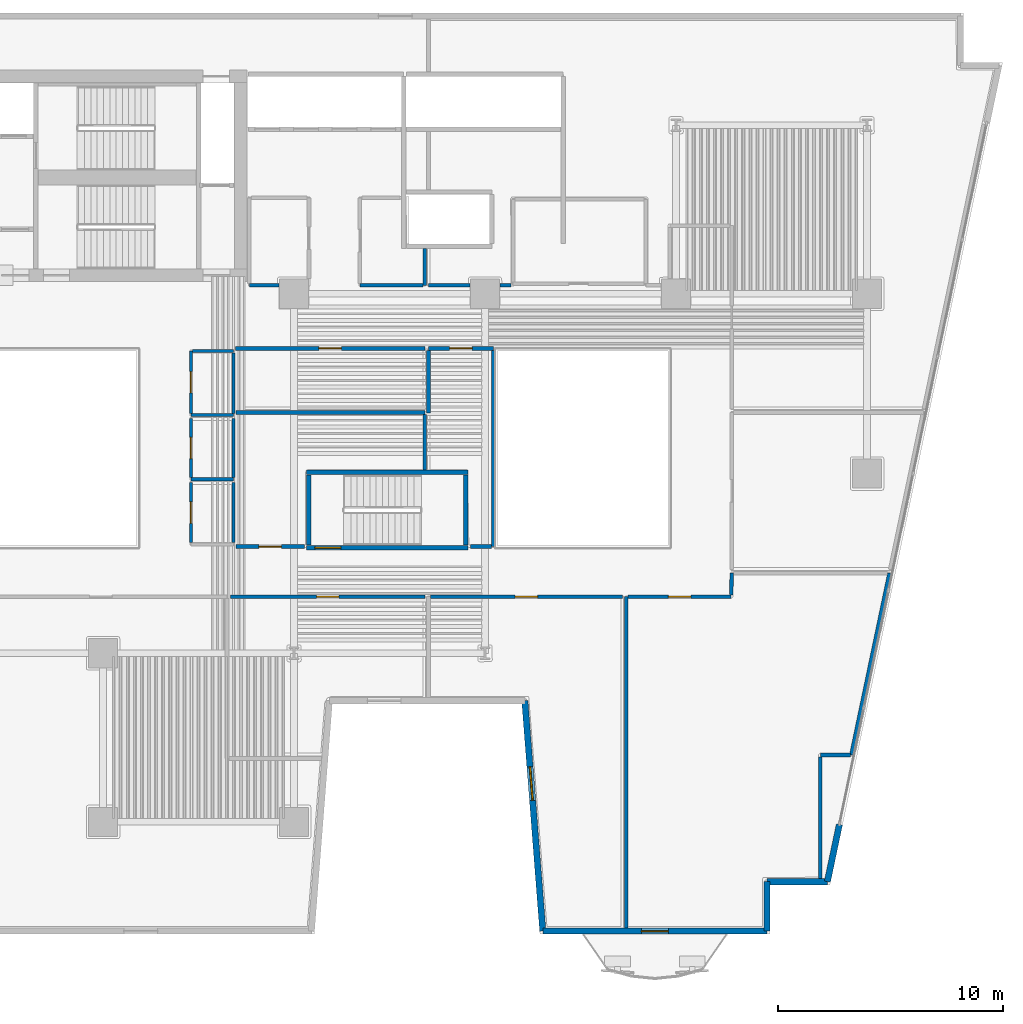
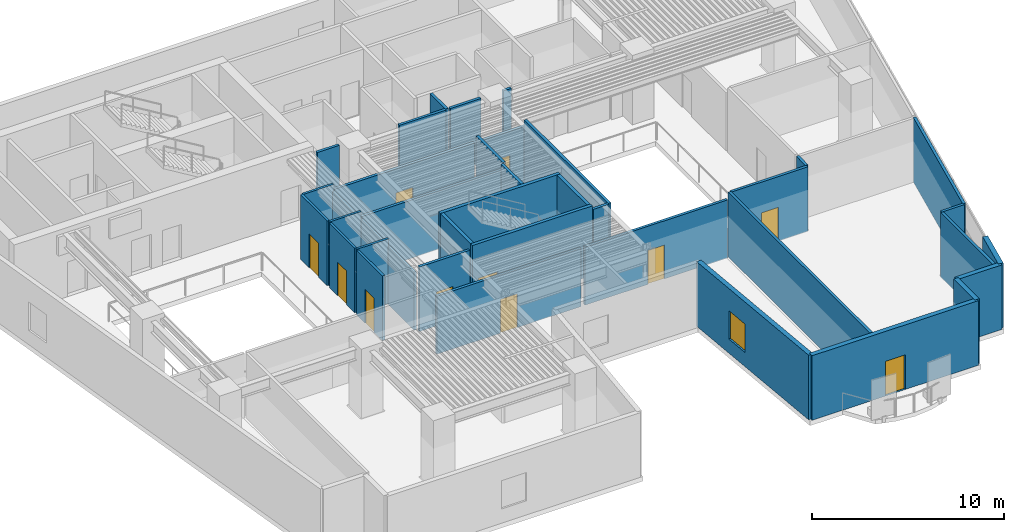
# One storey, part 4 of 11: 39 walls, 11 doors, 1 window, 12 openings.
"""IFC4 building model written with IfcOpenShell, lengths in metres."""

from ifc_helpers import new_model, si_unit, direction, frame, frame_2d, origin, place, context, subcontext, project, spatial, rectangle, extrude, material, layer, layer_set, type_object, element, fill, save


model = new_model("IFC4")

# Units and contexts
model_context = context("Model", 3, precision=1e-05, world=origin(), true_north=direction((0.0, 1.0)))
body_context = subcontext(model_context, "Body", "Model", "MODEL_VIEW")
ifc_project = project(units=[si_unit("LENGTHUNIT", "METRE"), si_unit("AREAUNIT", "SQUARE_METRE"), si_unit("VOLUMEUNIT", "CUBIC_METRE"), si_unit("PLANEANGLEUNIT", "RADIAN"), si_unit("MASSUNIT", "GRAM", prefix="KILO")], contexts=[model_context])

# Site, building, storey
site_placement = place(None, origin())
site = spatial("IfcSite", under=ifc_project, at=site_placement, CompositionType="ELEMENT")
building_placement = place(site_placement, origin())
building = spatial("IfcBuilding", under=site, at=building_placement, Name="Caeloran Harvest Quay", CompositionType="ELEMENT")
storey_placement = place(building_placement, frame((0.0, 0.0, 53.39990234375)))
storey = spatial("IfcBuildingStorey", under=building, at=storey_placement, Name="L12", CompositionType="ELEMENT", Elevation=53.39990234375)

# Walls
ifc_material_1 = material(Name="Precast concrete C50/60", Category="concrete")
ifc_layer_1 = layer(ifc_material_1, 0.280029296875, Name="Precast concrete C50/60")
ifc_layer_set_1 = layer_set([ifc_layer_1], Name="Precast concrete C50/60")
wall_type_1 = type_object("IfcWallType", Name="ENV-WALL-EW-280", PredefinedType="STANDARD", material=ifc_layer_set_1)
wall_1_placement = place(storey_placement, frame((49.77001953125, 7.384521484375, 0.0), z_axis=(0.0, 0.0, 1.0), x_axis=(-0.205551409765, -0.978646319128, 0.0)))
element("IfcWall", 1, at=wall_1_placement, inside=storey, type_object=wall_type_1, Name="L12 Exterior Facade Corner Pier Wall 9B", PredefinedType="STANDARD", context=body_context, shape_type="SweptSolid", body=[
    extrude(rectangle(XDim=2.599853515625, YDim=0.280029296875, at=frame_2d((1.2998046875, 0.0))), origin(), (0.0, 0.0, 1.0), 4.10009765625),
])
wall_2_placement = place(storey_placement, frame((49.235595703125, 4.840087890625, 0.0), z_axis=(0.0, 0.0, 1.0), x_axis=(-1.0, 0.0, 0.0)))
element("IfcWall", 2, at=wall_2_placement, inside=storey, type_object=wall_type_1, Name="L12 Exterior Precast Concrete Facade Wall 10", PredefinedType="STANDARD", context=body_context, shape_type="SweptSolid", body=[
    extrude(rectangle(XDim=2.6884765625, YDim=0.280029296875, at=frame_2d((1.34423828125, 0.0))), origin(), (0.0, 0.0, 1.0), 4.10009765625),
])
wall_3_placement = place(storey_placement, frame((46.547119140625, 4.840087890625, 0.0), z_axis=(0.0, 0.0, 1.0), x_axis=(0.0, -1.0, 0.0)))
element("IfcWall", 3, at=wall_3_placement, inside=storey, type_object=wall_type_1, Name="L12 Exterior Precast Concrete Facade Wall 11", PredefinedType="STANDARD", context=body_context, shape_type="SweptSolid", body=[
    extrude(rectangle(XDim=2.2001953125, YDim=0.280029296875, at=frame_2d((1.10009765625, 0.0))), origin(), (0.0, 0.0, 1.0), 4.10009765625),
])

# Wall, opening, door
wall_4_placement = place(storey_placement, frame((46.547119140625, 2.639892578125, 0.0), z_axis=(0.0, 0.0, 1.0), x_axis=(-1.0, 0.0, 0.0)))
wall_4 = element("IfcWall", 4, at=wall_4_placement, inside=storey, type_object=wall_type_1, Name="L12 Exterior Precast Concrete Facade Wall 12", PredefinedType="STANDARD", context=body_context, shape_type="SweptSolid", body=[
    extrude(rectangle(XDim=9.97705078125, YDim=0.280029296875, at=frame_2d((4.988525390625, 0.0))), origin(), (0.0, 0.0, 1.0), 4.10009765625),
])
opening_1_placement = place(wall_4_placement, frame((4.387939453125, 0.0, 0.0)))
opening_1 = element("IfcOpeningElement", 5, at=opening_1_placement, cuts=wall_4, Name="Opening BD-01", PredefinedType="OPENING", context=body_context, shape_type="SweptSolid", body=[
    extrude(rectangle(XDim=1.199951171875, YDim=2.199951171875, at=frame_2d((0.60009765625, 1.10009765625))), frame((0.0, 0.14990234375, 0.0), z_axis=(0.0, -1.0, 0.0), x_axis=(1.0, 0.0, 0.0)), (0.0, 0.0, 1.0), 0.300048828125),
])
ifc_material_2 = material(Name="Thermally Broken Powder-Coated Aluminium and Safety Glass", Category="aluminium")
door_type_1 = type_object("IfcDoorType", Name="EXTDOOR-BD-01", OperationType="NOTDEFINED", PredefinedType="DOOR", material=ifc_material_2)
door_1_placement = place(opening_1_placement, origin())
door_1 = element("IfcDoor", 6, at=door_1_placement, inside=storey, type_object=door_type_1, Name="L12 Planted Balcony Glazed Access Door", OperationType="SINGLE_SWING_LEFT", OverallHeight=2.199951171875, OverallWidth=1.199951171875, PredefinedType="DOOR", context=body_context, shape_type="SweptSolid", body=[
    extrude(rectangle(XDim=1.199951171875, YDim=2.199951171875, at=frame_2d((0.60009765625, 1.10009765625))), frame((0.0, 0.02490234375, 0.0), z_axis=(0.0, -1.0, 0.0), x_axis=(1.0, 0.0, 0.0)), (0.0, 0.0, 1.0), 0.050048828125),
])
fill(opening_1, door_1)

# Wall, opening, window
wall_5_placement = place(storey_placement, frame((36.570068359375, 2.639892578125, 0.0), z_axis=(0.0, 0.0, 1.0), x_axis=(-0.077816860153, 0.996967670627, 0.0)))
wall_5 = element("IfcWall", 7, at=wall_5_placement, inside=storey, type_object=wall_type_1, Name="L12 Exterior Precast Concrete Facade Wall 13", PredefinedType="STANDARD", context=body_context, shape_type="SweptSolid", body=[
    extrude(rectangle(XDim=10.28125, YDim=0.280029296875, at=frame_2d((5.140625, 0.0))), origin(), (0.0, 0.0, 1.0), 4.10009765625),
])
opening_2_placement = place(wall_5_placement, frame((5.830078125, 0.0, 0.89990234375)))
opening_2 = element("IfcOpeningElement", 8, at=opening_2_placement, cuts=wall_5, Name="Opening W-03", PredefinedType="OPENING", context=body_context, shape_type="SweptSolid", body=[
    extrude(rectangle(XDim=1.5, YDim=1.800048828125, at=frame_2d((0.75, 0.89990234375))), frame((0.0, 0.14990234375, 0.0), z_axis=(0.0, -1.0, 0.0), x_axis=(1.0, 0.0, 0.0)), (0.0, 0.0, 1.0), 0.300048828125),
])
ifc_material_3 = material(Name="Aluminium-Framed Low-E Laminated Glass", Category="aluminium")
window_type = type_object("IfcWindowType", Name="WIN-W-03", PartitioningType="SINGLE_PANEL", PredefinedType="WINDOW", material=ifc_material_3)
window_placement = place(opening_2_placement, origin())
window = element("IfcWindow", 9, at=window_placement, inside=storey, type_object=window_type, Name="L12 Facade Punched Window W-03", OverallHeight=1.800048828125, OverallWidth=1.5, PartitioningType="SINGLE_PANEL", PredefinedType="WINDOW", context=body_context, shape_type="SweptSolid", body=[
    extrude(rectangle(XDim=1.5, YDim=1.800048828125, at=frame_2d((0.75, 0.89990234375))), frame((0.0, 0.030029296875, 0.0), z_axis=(0.0, -1.0, 0.0), x_axis=(1.0, 0.0, 0.0)), (0.0, 0.0, 1.0), 0.06005859375),
])
fill(opening_2, window)

# Wall
ifc_material_4 = material(Name="Moisture-Resistant Cement-Board Sanitary Partition", Category="gypsum")
ifc_layer_2 = layer(ifc_material_4, 0.139892578125, Name="Moisture-Resistant Cement-Board Sanitary Partition")
ifc_layer_set_2 = layer_set([ifc_layer_2], Name="Moisture-Resistant Cement-Board Sanitary Partition")
wall_type_2 = type_object("IfcWallType", Name="INT-WALL-PW-140", PredefinedType="PARTITIONING", material=ifc_layer_set_2)
wall_6_placement = place(storey_placement, frame((22.800048828125, 25.60009765625, 0.0), z_axis=(0.0, 0.0, 1.0), x_axis=(-1.0, 0.0, 0.0)))
element("IfcWall", 10, at=wall_6_placement, inside=storey, type_object=wall_type_2, Name="L12 Male Washroom WC Partition Wall", PredefinedType="PARTITIONING", context=body_context, shape_type="SweptSolid", body=[
    extrude(rectangle(XDim=1.89013671875, YDim=0.139892578125, at=frame_2d((0.945068359375, 0.0))), origin(), (0.0, 0.0, 1.0), 4.10009765625),
])

# Wall, opening, door
wall_7_placement = place(storey_placement, frame((20.909912109375, 25.675048828125, 0.0), z_axis=(0.0, 0.0, 1.0), x_axis=(0.0, 1.0, 0.0)))
wall_7 = element("IfcWall", 11, at=wall_7_placement, inside=storey, type_object=wall_type_2, Name="L12 Male Washroom WC Partition Wall", PredefinedType="PARTITIONING", context=body_context, shape_type="SweptSolid", body=[
    extrude(rectangle(XDim=2.77490234375, YDim=0.139892578125, at=frame_2d((1.387451171875, 0.0))), origin(), (0.0, 0.0, 1.0), 4.10009765625),
])
opening_3_placement = place(wall_7_placement, frame((0.91259765625, 0.0, 0.0)))
opening_3 = element("IfcOpeningElement", 12, at=opening_3_placement, cuts=wall_7, Name="Opening WC-01", PredefinedType="OPENING", context=body_context, shape_type="SweptSolid", body=[
    extrude(rectangle(XDim=0.949951171875, YDim=2.14990234375, at=frame_2d((0.47509765625, 1.074951171875))), frame((0.0, 0.080078125, 0.0), z_axis=(0.0, -1.0, 0.0), x_axis=(1.0, 0.0, 0.0)), (0.0, 0.0, 1.0), 0.159912109375),
])
ifc_material_5 = material(Name="High-Pressure Laminate Moisture-Resistant Timber", Category="wood")
door_type_2 = type_object("IfcDoorType", Name="INTDOOR-WC-01", OperationType="NOTDEFINED", PredefinedType="DOOR", material=ifc_material_5)
door_2_placement = place(opening_3_placement, origin())
door_2 = element("IfcDoor", 13, at=door_2_placement, inside=storey, type_object=door_type_2, Name="L12 Male Washroom WC Access Door", OperationType="SINGLE_SWING_LEFT", OverallHeight=2.14990234375, OverallWidth=0.949951171875, PredefinedType="DOOR", context=body_context, shape_type="SweptSolid", body=[
    extrude(rectangle(XDim=0.949951171875, YDim=2.14990234375, at=frame_2d((0.47509765625, 1.074951171875))), frame((0.0, 0.02490234375, 0.0), z_axis=(0.0, -1.0, 0.0), x_axis=(1.0, 0.0, 0.0)), (0.0, 0.0, 1.0), 0.050048828125),
])
fill(opening_3, door_2)

# Walls
wall_8_placement = place(storey_placement, frame((20.985107421875, 28.449951171875, 0.0), z_axis=(0.0, 0.0, 1.0), x_axis=(1.0, 0.0, 0.0)))
element("IfcWall", 14, at=wall_8_placement, inside=storey, type_object=wall_type_2, Name="L12 Male Washroom WC Partition Wall", PredefinedType="PARTITIONING", context=body_context, shape_type="SweptSolid", body=[
    extrude(rectangle(XDim=1.81494140625, YDim=0.139892578125, at=frame_2d((0.907470703125, 0.0))), origin(), (0.0, 0.0, 1.0), 4.10009765625),
])
wall_9_placement = place(storey_placement, frame((22.800048828125, 28.375, 0.0), z_axis=(0.0, 0.0, 1.0), x_axis=(0.0, -1.0, 0.0)))
element("IfcWall", 15, at=wall_9_placement, inside=storey, type_object=wall_type_2, Name="L12 Male Washroom WC Partition Wall", PredefinedType="PARTITIONING", context=body_context, shape_type="SweptSolid", body=[
    extrude(rectangle(XDim=2.699951171875, YDim=0.139892578125, at=frame_2d((1.35009765625, 0.0))), origin(), (0.0, 0.0, 1.0), 3.68505859375),
])
wall_10_placement = place(storey_placement, frame((22.800048828125, 22.75, 0.0), z_axis=(0.0, 0.0, 1.0), x_axis=(-1.0, 0.0, 0.0)))
element("IfcWall", 16, at=wall_10_placement, inside=storey, type_object=wall_type_2, Name="L12 Female Washroom WC Partition Wall", PredefinedType="PARTITIONING", context=body_context, shape_type="SweptSolid", body=[
    extrude(rectangle(XDim=1.89013671875, YDim=0.139892578125, at=frame_2d((0.945068359375, 0.0))), origin(), (0.0, 0.0, 1.0), 4.10009765625),
])

# Wall, opening, door
wall_11_placement = place(storey_placement, frame((20.909912109375, 22.824951171875, 0.0), z_axis=(0.0, 0.0, 1.0), x_axis=(0.0, 1.0, 0.0)))
wall_11 = element("IfcWall", 17, at=wall_11_placement, inside=storey, type_object=wall_type_2, Name="L12 Female Washroom WC Partition Wall", PredefinedType="PARTITIONING", context=body_context, shape_type="SweptSolid", body=[
    extrude(rectangle(XDim=2.625, YDim=0.139892578125, at=frame_2d((1.3125, 0.0))), origin(), (0.0, 0.0, 1.0), 4.10009765625),
])
opening_4_placement = place(wall_11_placement, frame((0.83740234375, 0.0, 0.0)))
opening_4 = element("IfcOpeningElement", 18, at=opening_4_placement, cuts=wall_11, Name="Opening WC-01", PredefinedType="OPENING", context=body_context, shape_type="SweptSolid", body=[
    extrude(rectangle(XDim=0.949951171875, YDim=2.14990234375, at=frame_2d((0.47509765625, 1.074951171875))), frame((0.0, 0.080078125, 0.0), z_axis=(0.0, -1.0, 0.0), x_axis=(1.0, 0.0, 0.0)), (0.0, 0.0, 1.0), 0.159912109375),
])
door_3_placement = place(opening_4_placement, origin())
door_3 = element("IfcDoor", 19, at=door_3_placement, inside=storey, type_object=door_type_2, Name="L12 Female Washroom WC Access Door", OperationType="SINGLE_SWING_RIGHT", OverallHeight=2.14990234375, OverallWidth=0.949951171875, PredefinedType="DOOR", context=body_context, shape_type="SweptSolid", body=[
    extrude(rectangle(XDim=0.949951171875, YDim=2.14990234375, at=frame_2d((0.47509765625, 1.074951171875))), frame((0.0, 0.02490234375, 0.0), z_axis=(0.0, -1.0, 0.0), x_axis=(1.0, 0.0, 0.0)), (0.0, 0.0, 1.0), 0.050048828125),
])
fill(opening_4, door_3)

# Wall
wall_12_placement = place(storey_placement, frame((22.800048828125, 25.449951171875, 0.0), z_axis=(0.0, 0.0, 1.0), x_axis=(0.0, -1.0, 0.0)))
element("IfcWall", 20, at=wall_12_placement, inside=storey, type_object=wall_type_2, Name="L12 Female Washroom WC Partition Wall", PredefinedType="PARTITIONING", context=body_context, shape_type="SweptSolid", body=[
    extrude(rectangle(XDim=2.625, YDim=0.139892578125, at=frame_2d((1.3125, 0.0))), origin(), (0.0, 0.0, 1.0), 3.68505859375),
])

# Wall, opening, door
wall_13_placement = place(storey_placement, frame((20.909912109375, 19.925048828125, 0.0), z_axis=(0.0, 0.0, 1.0), x_axis=(0.0, 1.0, 0.0)))
wall_13 = element("IfcWall", 21, at=wall_13_placement, inside=storey, type_object=wall_type_2, Name="L12 Accessible Unisex Washroom WC Partition Wall", PredefinedType="PARTITIONING", context=body_context, shape_type="SweptSolid", body=[
    extrude(rectangle(XDim=2.675048828125, YDim=0.139892578125, at=frame_2d((1.33740234375, 0.0))), origin(), (0.0, 0.0, 1.0), 4.10009765625),
])
opening_5_placement = place(wall_13_placement, frame((0.862548828125, 0.0, 0.0)))
opening_5 = element("IfcOpeningElement", 22, at=opening_5_placement, cuts=wall_13, Name="Opening WC-01", PredefinedType="OPENING", context=body_context, shape_type="SweptSolid", body=[
    extrude(rectangle(XDim=0.949951171875, YDim=2.14990234375, at=frame_2d((0.47509765625, 1.074951171875))), frame((0.0, 0.080078125, 0.0), z_axis=(0.0, -1.0, 0.0), x_axis=(1.0, 0.0, 0.0)), (0.0, 0.0, 1.0), 0.159912109375),
])
door_4_placement = place(opening_5_placement, origin())
door_4 = element("IfcDoor", 23, at=door_4_placement, inside=storey, type_object=door_type_2, Name="L12 Accessible Unisex Washroom WC Access Door", OperationType="SINGLE_SWING_LEFT", OverallHeight=2.14990234375, OverallWidth=0.949951171875, PredefinedType="DOOR", context=body_context, shape_type="SweptSolid", body=[
    extrude(rectangle(XDim=0.949951171875, YDim=2.14990234375, at=frame_2d((0.47509765625, 1.074951171875))), frame((0.0, 0.02490234375, 0.0), z_axis=(0.0, -1.0, 0.0), x_axis=(1.0, 0.0, 0.0)), (0.0, 0.0, 1.0), 0.050048828125),
])
fill(opening_5, door_4)

# Walls
wall_14_placement = place(storey_placement, frame((22.800048828125, 22.60009765625, 0.0), z_axis=(0.0, 0.0, 1.0), x_axis=(0.0, -1.0, 0.0)))
element("IfcWall", 24, at=wall_14_placement, inside=storey, type_object=wall_type_2, Name="L12 Accessible Unisex Washroom WC Partition Wall", PredefinedType="PARTITIONING", context=body_context, shape_type="SweptSolid", body=[
    extrude(rectangle(XDim=2.675048828125, YDim=0.139892578125, at=frame_2d((1.33740234375, 0.0))), origin(), (0.0, 0.0, 1.0), 3.68505859375),
])
ifc_material_6 = material(Name="Autoclaved Aerated Concrete Blockwork", Category="masonry")
ifc_layer_3 = layer(ifc_material_6, 0.1650390625, Name="Autoclaved Aerated Concrete Blockwork")
ifc_layer_set_3 = layer_set([ifc_layer_3], Name="Autoclaved Aerated Concrete Blockwork")
wall_type_3 = type_object("IfcWallType", Name="INT-WALL-PW-165", PredefinedType="PARTITIONING", material=ifc_layer_set_3)
wall_15_placement = place(storey_placement, frame((51.9970703125, 18.570068359375, 0.0), z_axis=(0.0, 0.0, 1.0), x_axis=(-0.205523740085, -0.978652130362, 0.0)))
element("IfcWall", 25, at=wall_15_placement, inside=storey, type_object=wall_type_3, Name="Hydroponic Culinary Kitchen Partition Wall", PredefinedType="PARTITIONING", context=body_context, shape_type="SweptSolid", body=[
    extrude(rectangle(XDim=8.2666015625, YDim=0.1650390625, at=frame_2d((4.13330078125, 0.0))), origin(), (0.0, 0.0, 1.0), 4.10009765625),
])
wall_16_placement = place(storey_placement, frame((50.273681640625, 10.47998046875, 0.0), z_axis=(0.0, 0.0, 1.0), x_axis=(-1.0, 0.0, 0.0)))
element("IfcWall", 26, at=wall_16_placement, inside=storey, type_object=wall_type_3, Name="Hydroponic Culinary Kitchen Partition Wall", PredefinedType="PARTITIONING", context=body_context, shape_type="SweptSolid", body=[
    extrude(rectangle(XDim=1.353759765625, YDim=0.1650390625, at=frame_2d((0.6767578125, 0.0))), origin(), (0.0, 0.0, 1.0), 4.10009765625),
])
wall_17_placement = place(storey_placement, frame((48.919921875, 10.392578125, 0.0), z_axis=(0.0, 0.0, 1.0), x_axis=(0.0, -1.0, 0.0)))
element("IfcWall", 27, at=wall_17_placement, inside=storey, type_object=wall_type_3, Name="Hydroponic Culinary Kitchen Partition Wall", PredefinedType="PARTITIONING", context=body_context, shape_type="SweptSolid", body=[
    extrude(rectangle(XDim=5.407470703125, YDim=0.1650390625, at=frame_2d((2.70361328125, 0.0))), origin(), (0.0, 0.0, 1.0), 4.10009765625),
])
wall_18_placement = place(storey_placement, frame((40.280029296875, 2.784912109375, 0.0), z_axis=(0.0, 0.0, 1.0), x_axis=(0.0, 1.0, 0.0)))
element("IfcWall", 28, at=wall_18_placement, inside=storey, type_object=wall_type_3, Name="Hydroponic Culinary Kitchen Partition Wall", PredefinedType="PARTITIONING", context=body_context, shape_type="SweptSolid", body=[
    extrude(rectangle(XDim=14.735107421875, YDim=0.1650390625, at=frame_2d((7.36767578125, 0.0))), origin(), (0.0, 0.0, 1.0), 4.10009765625),
])

# Wall, opening, door
wall_19_placement = place(storey_placement, frame((40.367431640625, 17.52001953125, 0.0), z_axis=(0.0, 0.0, 1.0), x_axis=(1.0, 0.0, 0.0)))
wall_19 = element("IfcWall", 29, at=wall_19_placement, inside=storey, type_object=wall_type_3, Name="Hydroponic Culinary Kitchen Partition Wall", PredefinedType="PARTITIONING", context=body_context, shape_type="SweptSolid", body=[
    extrude(rectangle(XDim=4.58251953125, YDim=0.1650390625, at=frame_2d((2.291259765625, 0.0))), origin(), (0.0, 0.0, 1.0), 4.10009765625),
])
opening_6_placement = place(wall_19_placement, frame((1.791259765625, 0.0, 0.0)))
opening_6 = element("IfcOpeningElement", 30, at=opening_6_placement, cuts=wall_19, Name="Opening ID-01", PredefinedType="OPENING", context=body_context, shape_type="SweptSolid", body=[
    extrude(rectangle(XDim=1.0, YDim=2.14990234375, at=frame_2d((0.5, 1.074951171875))), frame((0.0, 0.092529296875, 0.0), z_axis=(0.0, -1.0, 0.0), x_axis=(1.0, 0.0, 0.0)), (0.0, 0.0, 1.0), 0.18505859375),
])
ifc_material_7 = material(Name="FSC Solid-Core Ash Timber and Acoustic Seal", Category="wood")
door_type_3 = type_object("IfcDoorType", Name="INTDOOR-ID-01", OperationType="NOTDEFINED", PredefinedType="DOOR", material=ifc_material_7)
door_5_placement = place(opening_6_placement, origin())
door_5 = element("IfcDoor", 31, at=door_5_placement, inside=storey, type_object=door_type_3, Name="Hydroponic Culinary Kitchen Access Door", OperationType="SINGLE_SWING_LEFT", OverallHeight=2.14990234375, OverallWidth=1.0, PredefinedType="DOOR", context=body_context, shape_type="SweptSolid", body=[
    extrude(rectangle(XDim=1.0, YDim=2.14990234375, at=frame_2d((0.5, 1.074951171875))), frame((0.0, 0.02490234375, 0.0), z_axis=(0.0, -1.0, 0.0), x_axis=(1.0, 0.0, 0.0)), (0.0, 0.0, 1.0), 0.050048828125),
])
fill(opening_6, door_5)

# Wall
wall_20_placement = place(storey_placement, frame((44.952392578125, 17.606689453125, 0.0), z_axis=(0.0, 0.0, 1.0), x_axis=(0.028624859452, 0.999590224753, 0.0)))
element("IfcWall", 32, at=wall_20_placement, inside=storey, type_object=wall_type_3, Name="Hydroponic Culinary Kitchen Partition Wall", PredefinedType="PARTITIONING", context=body_context, shape_type="SweptSolid", body=[
    extrude(rectangle(XDim=0.9638671875, YDim=0.1650390625, at=frame_2d((0.48193359375, 0.0))), origin(), (0.0, 0.0, 1.0), 4.10009765625),
])

# Wall, opening, door
wall_21_placement = place(storey_placement, frame((31.5673828125, 17.52001953125, 0.0), z_axis=(0.0, 0.0, 1.0), x_axis=(1.0, 0.0, 0.0)))
wall_21 = element("IfcWall", 33, at=wall_21_placement, inside=storey, type_object=wall_type_3, Name="Seedling Sensory Salon Lounge Partition Wall", PredefinedType="PARTITIONING", context=body_context, shape_type="SweptSolid", body=[
    extrude(rectangle(XDim=8.552734375, YDim=0.1650390625, at=frame_2d((4.2763671875, 0.0))), origin(), (0.0, 0.0, 1.0), 3.68505859375),
])
opening_7_placement = place(wall_21_placement, frame((3.776123046875, 0.0, 0.0)))
opening_7 = element("IfcOpeningElement", 34, at=opening_7_placement, cuts=wall_21, Name="Opening ID-01", PredefinedType="OPENING", context=body_context, shape_type="SweptSolid", body=[
    extrude(rectangle(XDim=1.0, YDim=2.14990234375, at=frame_2d((0.5, 1.074951171875))), frame((0.0, 0.092529296875, 0.0), z_axis=(0.0, -1.0, 0.0), x_axis=(1.0, 0.0, 0.0)), (0.0, 0.0, 1.0), 0.18505859375),
])
door_6_placement = place(opening_7_placement, origin())
door_6 = element("IfcDoor", 35, at=door_6_placement, inside=storey, type_object=door_type_3, Name="Seedling Sensory Salon Lounge Access Door", OperationType="SINGLE_SWING_RIGHT", OverallHeight=2.14990234375, OverallWidth=1.0, PredefinedType="DOOR", context=body_context, shape_type="SweptSolid", body=[
    extrude(rectangle(XDim=1.0, YDim=2.14990234375, at=frame_2d((0.5, 1.074951171875))), frame((0.0, 0.02490234375, 0.0), z_axis=(0.0, -1.0, 0.0), x_axis=(1.0, 0.0, 0.0)), (0.0, 0.0, 1.0), 0.050048828125),
])
fill(opening_7, door_6)

wall_22_placement = place(storey_placement, frame((22.679931640625, 17.52001953125, 0.0), z_axis=(0.0, 0.0, 1.0), x_axis=(1.0, 0.0, 0.0)))
wall_22 = element("IfcWall", 36, at=wall_22_placement, inside=storey, type_object=wall_type_3, Name="Harvest Seminar Room Partition Wall", PredefinedType="PARTITIONING", context=body_context, shape_type="SweptSolid", body=[
    extrude(rectangle(XDim=8.64013671875, YDim=0.1650390625, at=frame_2d((4.320068359375, 0.0))), origin(), (0.0, 0.0, 1.0), 3.68505859375),
])
opening_8_placement = place(wall_22_placement, frame((3.820068359375, 0.0, 0.0)))
opening_8 = element("IfcOpeningElement", 37, at=opening_8_placement, cuts=wall_22, Name="Opening ID-01", PredefinedType="OPENING", context=body_context, shape_type="SweptSolid", body=[
    extrude(rectangle(XDim=1.0, YDim=2.14990234375, at=frame_2d((0.5, 1.074951171875))), frame((0.0, 0.092529296875, 0.0), z_axis=(0.0, -1.0, 0.0), x_axis=(1.0, 0.0, 0.0)), (0.0, 0.0, 1.0), 0.18505859375),
])
door_7_placement = place(opening_8_placement, origin())
door_7 = element("IfcDoor", 38, at=door_7_placement, inside=storey, type_object=door_type_3, Name="Harvest Seminar Room Access Door", OperationType="SINGLE_SWING_RIGHT", OverallHeight=2.14990234375, OverallWidth=1.0, PredefinedType="DOOR", context=body_context, shape_type="SweptSolid", body=[
    extrude(rectangle(XDim=1.0, YDim=2.14990234375, at=frame_2d((0.5, 1.074951171875))), frame((0.0, 0.02490234375, 0.0), z_axis=(0.0, -1.0, 0.0), x_axis=(1.0, 0.0, 0.0)), (0.0, 0.0, 1.0), 0.050048828125),
])
fill(opening_8, door_7)

wall_23_placement = place(storey_placement, frame((25.95556640625, 19.75, 0.0), z_axis=(0.0, 0.0, 1.0), x_axis=(-1.0, 0.0, 0.0)))
wall_23 = element("IfcWall", 39, at=wall_23_placement, inside=storey, type_object=wall_type_3, Name="Tea Blending Kitchen Partition Wall", PredefinedType="PARTITIONING", context=body_context, shape_type="SweptSolid", body=[
    extrude(rectangle(XDim=3.045654296875, YDim=0.1650390625, at=frame_2d((1.52294921875, 0.0))), origin(), (0.0, 0.0, 1.0), 4.10009765625),
])
opening_9_placement = place(wall_23_placement, frame((1.022705078125, 0.0, 0.0)))
opening_9 = element("IfcOpeningElement", 40, at=opening_9_placement, cuts=wall_23, Name="Opening ID-01", PredefinedType="OPENING", context=body_context, shape_type="SweptSolid", body=[
    extrude(rectangle(XDim=1.0, YDim=2.14990234375, at=frame_2d((0.5, 1.074951171875))), frame((0.0, 0.092529296875, 0.0), z_axis=(0.0, -1.0, 0.0), x_axis=(1.0, 0.0, 0.0)), (0.0, 0.0, 1.0), 0.18505859375),
])
door_8_placement = place(opening_9_placement, origin())
door_8 = element("IfcDoor", 41, at=door_8_placement, inside=storey, type_object=door_type_3, Name="Tea Blending Kitchen Access Door", OperationType="SINGLE_SWING_RIGHT", OverallHeight=2.14990234375, OverallWidth=1.0, PredefinedType="DOOR", context=body_context, shape_type="SweptSolid", body=[
    extrude(rectangle(XDim=1.0, YDim=2.14990234375, at=frame_2d((0.5, 1.074951171875))), frame((0.0, 0.02490234375, 0.0), z_axis=(0.0, -1.0, 0.0), x_axis=(1.0, 0.0, 0.0)), (0.0, 0.0, 1.0), 0.050048828125),
])
fill(opening_9, door_8)

# Walls
wall_24_placement = place(storey_placement, frame((22.909912109375, 25.719970703125, 0.0), z_axis=(0.0, 0.0, 1.0), x_axis=(1.0, 0.0, 0.0)))
element("IfcWall", 42, at=wall_24_placement, inside=storey, type_object=wall_type_3, Name="Tea Blending Kitchen Partition Wall", PredefinedType="PARTITIONING", context=body_context, shape_type="SweptSolid", body=[
    extrude(rectangle(XDim=8.41015625, YDim=0.1650390625, at=frame_2d((4.205078125, 0.0))), origin(), (0.0, 0.0, 1.0), 3.68505859375),
])
wall_25_placement = place(storey_placement, frame((31.320068359375, 25.632568359375, 0.0), z_axis=(0.0, 0.0, 1.0), x_axis=(0.0, -1.0, 0.0)))
element("IfcWall", 43, at=wall_25_placement, inside=storey, type_object=wall_type_3, Name="Tea Blending Kitchen Partition Wall", PredefinedType="PARTITIONING", context=body_context, shape_type="SweptSolid", body=[
    extrude(rectangle(XDim=2.4775390625, YDim=0.1650390625, at=frame_2d((1.23876953125, 0.0))), origin(), (0.0, 0.0, 1.0), 4.10009765625),
])

# Wall, opening, door
wall_26_placement = place(storey_placement, frame((31.47998046875, 28.570068359375, 0.0), z_axis=(0.0, 0.0, 1.0), x_axis=(1.0, 0.0, 0.0)))
wall_26 = element("IfcWall", 44, at=wall_26_placement, inside=storey, type_object=wall_type_3, Name="Fermented Botanical Kitchen 8 Partition Wall", PredefinedType="PARTITIONING", context=body_context, shape_type="SweptSolid", body=[
    extrude(rectangle(XDim=2.89013671875, YDim=0.1650390625, at=frame_2d((1.445068359375, 0.0))), origin(), (0.0, 0.0, 1.0), 3.68505859375),
])
opening_10_placement = place(wall_26_placement, frame((0.945068359375, 0.0, 0.0)))
opening_10 = element("IfcOpeningElement", 45, at=opening_10_placement, cuts=wall_26, Name="Opening ID-01", PredefinedType="OPENING", context=body_context, shape_type="SweptSolid", body=[
    extrude(rectangle(XDim=1.0, YDim=2.14990234375, at=frame_2d((0.5, 1.074951171875))), frame((0.0, 0.092529296875, 0.0), z_axis=(0.0, -1.0, 0.0), x_axis=(1.0, 0.0, 0.0)), (0.0, 0.0, 1.0), 0.18505859375),
])
door_9_placement = place(opening_10_placement, origin())
door_9 = element("IfcDoor", 46, at=door_9_placement, inside=storey, type_object=door_type_3, Name="Fermented Botanical Kitchen 8 Access Door", OperationType="SINGLE_SWING_LEFT", OverallHeight=2.14990234375, OverallWidth=1.0, PredefinedType="DOOR", context=body_context, shape_type="SweptSolid", body=[
    extrude(rectangle(XDim=1.0, YDim=2.14990234375, at=frame_2d((0.5, 1.074951171875))), frame((0.0, 0.02490234375, 0.0), z_axis=(0.0, -1.0, 0.0), x_axis=(1.0, 0.0, 0.0)), (0.0, 0.0, 1.0), 0.050048828125),
])
fill(opening_10, door_9)

# Walls
wall_27_placement = place(storey_placement, frame((34.3701171875, 28.482421875, 0.0), z_axis=(0.0, 0.0, 1.0), x_axis=(0.0, -1.0, 0.0)))
element("IfcWall", 47, at=wall_27_placement, inside=storey, type_object=wall_type_3, Name="Fermented Botanical Kitchen 8 Partition Wall", PredefinedType="PARTITIONING", context=body_context, shape_type="SweptSolid", body=[
    extrude(rectangle(XDim=8.732421875, YDim=0.1650390625, at=frame_2d((4.3662109375, 0.0))), origin(), (0.0, 0.0, 1.0), 4.10009765625),
])
wall_28_placement = place(storey_placement, frame((34.282470703125, 19.75, 0.0), z_axis=(0.0, 0.0, 1.0), x_axis=(-1.0, 0.0, 0.0)))
element("IfcWall", 48, at=wall_28_placement, inside=storey, type_object=wall_type_3, Name="Fermented Botanical Kitchen 8 Partition Wall", PredefinedType="PARTITIONING", context=body_context, shape_type="SweptSolid", body=[
    extrude(rectangle(XDim=0.93798828125, YDim=0.1650390625, at=frame_2d((0.468994140625, 0.0))), origin(), (0.0, 0.0, 1.0), 4.10009765625),
])
wall_29_placement = place(storey_placement, frame((31.47998046875, 25.686279296875, 0.0), z_axis=(0.0, 0.0, 1.0), x_axis=(0.0, 1.0, 0.0)))
element("IfcWall", 49, at=wall_29_placement, inside=storey, type_object=wall_type_3, Name="Fermented Botanical Kitchen 8 Partition Wall", PredefinedType="PARTITIONING", context=body_context, shape_type="SweptSolid", body=[
    extrude(rectangle(XDim=2.796142578125, YDim=0.1650390625, at=frame_2d((1.39794921875, 0.0))), origin(), (0.0, 0.0, 1.0), 4.10009765625),
])

# Wall, opening, door
wall_30_placement = place(storey_placement, frame((22.889892578125, 28.570068359375, 0.0), z_axis=(0.0, 0.0, 1.0), x_axis=(1.0, 0.0, 0.0)))
wall_30 = element("IfcWall", 50, at=wall_30_placement, inside=storey, type_object=wall_type_3, Name="Hydroponic Culinary Kitchen 9 Partition Wall", PredefinedType="PARTITIONING", context=body_context, shape_type="SweptSolid", body=[
    extrude(rectangle(XDim=8.43017578125, YDim=0.1650390625, at=frame_2d((4.215087890625, 0.0))), origin(), (0.0, 0.0, 1.0), 3.68505859375),
])
opening_11_placement = place(wall_30_placement, frame((3.715087890625, 0.0, 0.0)))
opening_11 = element("IfcOpeningElement", 51, at=opening_11_placement, cuts=wall_30, Name="Opening ID-01", PredefinedType="OPENING", context=body_context, shape_type="SweptSolid", body=[
    extrude(rectangle(XDim=1.0, YDim=2.14990234375, at=frame_2d((0.5, 1.074951171875))), frame((0.0, 0.092529296875, 0.0), z_axis=(0.0, -1.0, 0.0), x_axis=(1.0, 0.0, 0.0)), (0.0, 0.0, 1.0), 0.18505859375),
])
door_10_placement = place(opening_11_placement, origin())
door_10 = element("IfcDoor", 52, at=door_10_placement, inside=storey, type_object=door_type_3, Name="Hydroponic Culinary Kitchen 9 Access Door", OperationType="SINGLE_SWING_RIGHT", OverallHeight=2.14990234375, OverallWidth=1.0, PredefinedType="DOOR", context=body_context, shape_type="SweptSolid", body=[
    extrude(rectangle(XDim=1.0, YDim=2.14990234375, at=frame_2d((0.5, 1.074951171875))), frame((0.0, 0.02490234375, 0.0), z_axis=(0.0, -1.0, 0.0), x_axis=(1.0, 0.0, 0.0)), (0.0, 0.0, 1.0), 0.050048828125),
])
fill(opening_11, door_10)

# Walls
wall_31_placement = place(storey_placement, frame((31.320068359375, 33.014892578125, 0.0), z_axis=(0.0, 0.0, 1.0), x_axis=(0.0, -1.0, 0.0)))
element("IfcWall", 53, at=wall_31_placement, inside=storey, type_object=wall_type_3, Name="Seedling Sensory Salon Lounge 10 Partition Wall", PredefinedType="PARTITIONING", context=body_context, shape_type="SweptSolid", body=[
    extrude(rectangle(XDim=1.635009765625, YDim=0.1650390625, at=frame_2d((0.8173828125, 0.0))), origin(), (0.0, 0.0, 1.0), 4.10009765625),
])
wall_32_placement = place(storey_placement, frame((31.232421875, 31.3798828125, 0.0), z_axis=(0.0, 0.0, 1.0), x_axis=(-1.0, 0.0, 0.0)))
element("IfcWall", 54, at=wall_32_placement, inside=storey, type_object=wall_type_3, Name="Seedling Sensory Salon Lounge 10 Partition Wall", PredefinedType="PARTITIONING", context=body_context, shape_type="SweptSolid", body=[
    extrude(rectangle(XDim=2.802490234375, YDim=0.1650390625, at=frame_2d((1.4013671875, 0.0))), origin(), (0.0, 0.0, 1.0), 4.10009765625),
])
wall_33_placement = place(storey_placement, frame((24.824951171875, 31.3798828125, 0.0), z_axis=(0.0, 0.0, 1.0), x_axis=(-1.0, 0.0, 0.0)))
element("IfcWall", 55, at=wall_33_placement, inside=storey, type_object=wall_type_3, Name="Pollination Dining Lounge 11 Partition Wall", PredefinedType="PARTITIONING", context=body_context, shape_type="SweptSolid", body=[
    extrude(rectangle(XDim=1.31494140625, YDim=0.1650390625, at=frame_2d((0.657470703125, 0.0))), origin(), (0.0, 0.0, 1.0), 4.10009765625),
])
wall_34_placement = place(storey_placement, frame((35.155517578125, 31.3798828125, 0.0), z_axis=(0.0, 0.0, 1.0), x_axis=(-1.0, 0.0, 0.0)))
element("IfcWall", 56, at=wall_34_placement, inside=storey, type_object=wall_type_3, Name="Harvest Seminar Room 12 Partition Wall", PredefinedType="PARTITIONING", context=body_context, shape_type="SweptSolid", body=[
    extrude(rectangle(XDim=0.48046875, YDim=0.1650390625, at=frame_2d((0.240234375, 0.0))), origin(), (0.0, 0.0, 1.0), 4.10009765625),
])
wall_35_placement = place(storey_placement, frame((33.324951171875, 31.3798828125, 0.0), z_axis=(0.0, 0.0, 1.0), x_axis=(-1.0, 0.0, 0.0)))
element("IfcWall", 57, at=wall_35_placement, inside=storey, type_object=wall_type_3, Name="Harvest Seminar Room 12 Partition Wall", PredefinedType="PARTITIONING", context=body_context, shape_type="SweptSolid", body=[
    extrude(rectangle(XDim=1.844970703125, YDim=0.1650390625, at=frame_2d((0.92236328125, 0.0))), origin(), (0.0, 0.0, 1.0), 4.10009765625),
])

# Wall, opening, door
ifc_material_8 = material(Name="Concrete C60/75", Category="concrete")
ifc_layer_4 = layer(ifc_material_8, 0.199951171875, Name="Concrete C60/75")
ifc_layer_set_4 = layer_set([ifc_layer_4], Name="Concrete C60/75")
wall_type_4 = type_object("IfcWallType", Name="STR-WALL-SW-200", PredefinedType="SHEAR", material=ifc_layer_set_4)
wall_36_placement = place(storey_placement, frame((26.050048828125, 19.699951171875, 0.0), z_axis=(0.0, 0.0, 1.0), x_axis=(1.0, 0.0, 0.0)))
wall_36 = element("IfcWall", 58, at=wall_36_placement, inside=storey, type_object=wall_type_4, Name="L12 Stair ST-W1 S RC Shaft Shear Wall", PredefinedType="SHEAR", context=body_context, shape_type="SweptSolid", body=[
    extrude(rectangle(XDim=7.199951171875, YDim=0.199951171875, at=frame_2d((3.60009765625, 0.0))), origin(), (0.0, 0.0, 1.0), 4.400146484375),
])
opening_12_placement = place(wall_36_placement, frame((0.3798828125, 0.0, 0.0)))
opening_12 = element("IfcOpeningElement", 59, at=opening_12_placement, cuts=wall_36, Name="Opening SD-01", PredefinedType="OPENING", context=body_context, shape_type="SweptSolid", body=[
    extrude(rectangle(XDim=1.14990234375, YDim=2.199951171875, at=frame_2d((0.574951171875, 1.10009765625))), frame((0.0, 0.10986328125, 0.0), z_axis=(0.0, -1.0, 0.0), x_axis=(1.0, 0.0, 0.0)), (0.0, 0.0, 1.0), 0.219970703125),
])
ifc_material_9 = material(Name="Steel", Category="steel")
door_type_4 = type_object("IfcDoorType", Name="INTDOOR-SD-01", OperationType="NOTDEFINED", PredefinedType="DOOR", material=ifc_material_9)
door_11_placement = place(opening_12_placement, origin())
door_11 = element("IfcDoor", 60, at=door_11_placement, inside=storey, type_object=door_type_4, Name="L12 Protected Exit Stair ST-W1 Fire Door", OperationType="SINGLE_SWING_LEFT", OverallHeight=2.199951171875, OverallWidth=1.14990234375, PredefinedType="DOOR", context=body_context, shape_type="SweptSolid", body=[
    extrude(rectangle(XDim=1.14990234375, YDim=2.199951171875, at=frame_2d((0.574951171875, 1.10009765625))), frame((0.0, 0.02490234375, 0.0), z_axis=(0.0, -1.0, 0.0), x_axis=(1.0, 0.0, 0.0)), (0.0, 0.0, 1.0), 0.050048828125),
])
fill(opening_12, door_11)

# Walls
wall_37_placement = place(storey_placement, frame((26.050048828125, 23.050048828125, 0.0), z_axis=(0.0, 0.0, 1.0), x_axis=(1.0, 0.0, 0.0)))
element("IfcWall", 61, at=wall_37_placement, inside=storey, type_object=wall_type_4, Name="L12 Stair ST-W1 N RC Shaft Shear Wall", PredefinedType="SHEAR", context=body_context, shape_type="SweptSolid", body=[
    extrude(rectangle(XDim=7.199951171875, YDim=0.199951171875, at=frame_2d((3.60009765625, 0.0))), origin(), (0.0, 0.0, 1.0), 4.400146484375),
])
for number, where, z_axis, x_axis, name in (
    (62, (26.14990234375, 19.81005859375, 0.0), (0.0, 0.0, 1.0), (0.0, 1.0, 0.0), "L12 Stair ST-W1 W RC Shaft Shear Wall"),
    (63, (33.14990234375, 19.81005859375, 0.0), (0.0, 0.0, 1.0), (0.0, 1.0, 0.0), "L12 Stair ST-W1 E RC Shaft Shear Wall"),
):
    element("IfcWall", number, at=place(storey_placement, frame(where, z_axis=z_axis, x_axis=x_axis)), inside=storey, type_object=wall_type_4, Name=name, PredefinedType="SHEAR", context=body_context, shape_type="SweptSolid", body=[
        extrude(rectangle(XDim=3.1298828125, YDim=0.199951171875, at=frame_2d((1.56494140625, 0.0))), origin(), (0.0, 0.0, 1.0), 4.400146484375),
    ])

save(model, "model.ifc")
